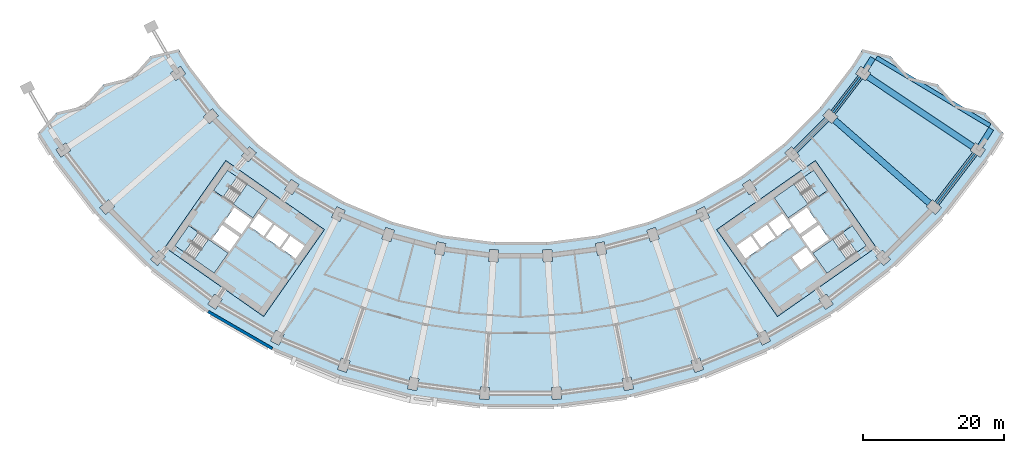
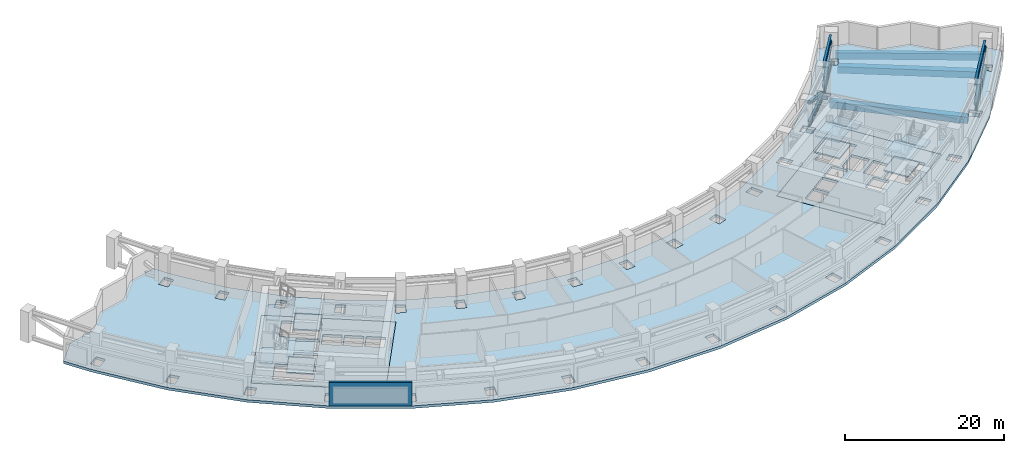
# One storey, part 4 of 25: 15 slabs, 8 beams, 8 members, 1 wall, 4 elements without a shape of their own.
"""IFC4 building model written with IfcOpenShell, lengths in metres."""

from ifc_helpers import new_model, si_unit, direction, frame, frame_2d, origin, origin_2d, place, context, subcontext, project, spatial, polyline, rectangle, hollow_rectangle, i_section, outline, extrude, material, layer, layer_set, material_profile, profile_set, type_object, element, aggregate, save


model = new_model("IFC4")

# Units and contexts
model_context = context("Model", 3, precision=1e-05, world=origin(), true_north=direction((0.0, 1.0)))
body_context = subcontext(model_context, "Body", "Model", "MODEL_VIEW")
ifc_project = project(units=[si_unit("LENGTHUNIT", "METRE"), si_unit("AREAUNIT", "SQUARE_METRE"), si_unit("VOLUMEUNIT", "CUBIC_METRE"), si_unit("PLANEANGLEUNIT", "RADIAN"), si_unit("MASSUNIT", "GRAM", prefix="KILO")], contexts=[model_context])

# Site, building, storey
site_placement = place(None, origin())
site = spatial("IfcSite", under=ifc_project, at=site_placement, CompositionType="ELEMENT")
building_placement = place(site_placement, origin())
building = spatial("IfcBuilding", under=site, at=building_placement, Name="Qamariyya Broadcast Tower", CompositionType="ELEMENT")
storey_placement = place(building_placement, frame((0.0, 0.0, 89.89990234375)))
storey = spatial("IfcBuildingStorey", under=building, at=storey_placement, Name="L19", CompositionType="ELEMENT", Elevation=89.89990234375)

# Members
ifc_material_1 = material(Name="Steel S355", Category="steel")
ifc_material_profile_1 = material_profile(ifc_material_1, i_section(OverallWidth=0.300048828125, OverallDepth=0.800048828125, WebThickness=0.017578125, FlangeThickness=0.032958984375, FilletRadius=0.030029296875, at=origin_2d()))
ifc_profile_set_1 = profile_set([ifc_material_profile_1], Name="Steel S355")
member_type_1 = type_object("IfcMemberType", Name="Belt truss bottom chord HEB 800", PredefinedType="CHORD", material=ifc_profile_set_1)
member_1_placement = place(storey_placement, frame((38.867431640625, -43.333984375, 0.400146484375), z_axis=(0.707106781187, 0.707106781187, 0.0), x_axis=(-0.707106781187, 0.707106781187, 0.0)))
element("IfcMember", 1, at=member_1_placement, inside=storey, type_object=member_type_1, Name="Belt truss bottom chord T6 L19 B-R16", PredefinedType="CHORD", context=body_context, shape_type="SweptSolid", body=[
    extrude(i_section(OverallWidth=0.300048828125, OverallDepth=0.800048828125, WebThickness=0.017578125, FlangeThickness=0.032958984375, FilletRadius=0.030029296875, at=origin_2d()), origin(), (0.0, 0.0, 1.0), 6.316650390625),
])
member_2_placement = place(storey_placement, frame((44.191162109375, -37.89013671875, 0.400146484375), z_axis=(0.608763348773, 0.7933518672, 0.0), x_axis=(-0.7933518672, 0.608763348773, 0.0)))
element("IfcMember", 2, at=member_2_placement, inside=storey, type_object=member_type_1, Name="Belt truss bottom chord T6 L19 B-R17", PredefinedType="CHORD", context=body_context, shape_type="SweptSolid", body=[
    extrude(i_section(OverallWidth=0.300048828125, OverallDepth=0.800048828125, WebThickness=0.017578125, FlangeThickness=0.032958984375, FilletRadius=0.030029296875, at=origin_2d()), origin(), (0.0, 0.0, 1.0), 6.31689453125),
])
member_3_placement = place(storey_placement, frame((58.85205078125, -50.747314453125, 0.400146484375), z_axis=(0.608769622928, 0.793347052809, 0.0), x_axis=(-0.793347052809, 0.608769622928, 0.0)))
element("IfcMember", 3, at=member_3_placement, inside=storey, type_object=member_type_1, Name="Belt truss bottom chord T6 L19 C-R17", PredefinedType="CHORD", context=body_context, shape_type="SweptSolid", body=[
    extrude(i_section(OverallWidth=0.300048828125, OverallDepth=0.800048828125, WebThickness=0.017578125, FlangeThickness=0.032958984375, FilletRadius=0.030029296875, at=origin_2d()), origin(), (0.0, 0.0, 1.0), 8.867431640625),
])
ifc_material_profile_2 = material_profile(ifc_material_1, hollow_rectangle(XDim=0.39990234375, YDim=0.39990234375, WallThickness=0.01611328125, InnerFilletRadius=0.01611328125, OuterFilletRadius=0.031982421875, at=origin_2d()))
ifc_profile_set_2 = profile_set([ifc_material_profile_2], Name="Steel S355")
member_type_2 = type_object("IfcMemberType", Name="Belt truss diagonal RHS 400x400x16", PredefinedType="BRACE", material=ifc_profile_set_2)
member_4_placement = place(storey_placement, frame((38.92626953125, -43.275146484375, 3.71728515625), z_axis=(0.646125895001, 0.646125895001, -0.406254422276), x_axis=(-0.707106781187, 0.707106781187, 0.0)))
element("IfcMember", 4, at=member_4_placement, inside=storey, type_object=member_type_2, Name="Belt truss diagonal T7 L19 B-R16", PredefinedType="BRACE", context=body_context, shape_type="SweptSolid", body=[
    extrude(hollow_rectangle(XDim=0.39990234375, YDim=0.39990234375, WallThickness=0.01611328125, InnerFilletRadius=0.01611328125, OuterFilletRadius=0.031982421875, at=origin_2d()), origin(), (0.0, 0.0, 1.0), 6.730712890625),
])
member_5_placement = place(storey_placement, frame((44.241943359375, -37.823974609375, 0.98291015625), z_axis=(0.556258018172, 0.724930974449, 0.406266045225), x_axis=(-0.793353912678, 0.608760683058, 0.0)))
element("IfcMember", 5, at=member_5_placement, inside=storey, type_object=member_type_2, Name="Belt truss diagonal T7 L19 B-R17", PredefinedType="BRACE", context=body_context, shape_type="SweptSolid", body=[
    extrude(hollow_rectangle(XDim=0.39990234375, YDim=0.39990234375, WallThickness=0.01611328125, InnerFilletRadius=0.01611328125, OuterFilletRadius=0.031982421875, at=origin_2d()), origin(), (0.0, 0.0, 1.0), 6.73046875),
])
member_6_placement = place(storey_placement, frame((58.889404296875, -50.69873046875, 0.990966796875), z_axis=(0.581322026937, 0.757598167369, 0.296832811186), x_axis=(-0.793355106863, 0.60875912676, 0.0)))
element("IfcMember", 6, at=member_6_placement, inside=storey, type_object=member_type_2, Name="Belt truss diagonal T7 L19 C-R17", PredefinedType="BRACE", context=body_context, shape_type="SweptSolid", body=[
    extrude(hollow_rectangle(XDim=0.39990234375, YDim=0.39990234375, WallThickness=0.01611328125, InnerFilletRadius=0.01611328125, OuterFilletRadius=0.031982421875, at=origin_2d()), origin(), (0.0, 0.0, 1.0), 9.157470703125),
])
ifc_material_profile_3 = material_profile(ifc_material_1, i_section(OverallWidth=0.300048828125, OverallDepth=0.800048828125, WebThickness=0.017578125, FlangeThickness=0.032958984375, FilletRadius=0.030029296875, at=origin_2d()))
ifc_profile_set_3 = profile_set([ifc_material_profile_3], Name="Steel S355")
member_type_3 = type_object("IfcMemberType", Name="Belt truss top chord HEB 800", PredefinedType="CHORD", material=ifc_profile_set_3)
member_7_placement = place(storey_placement, frame((44.191162109375, -37.89013671875, 4.300048828125), z_axis=(0.608763348773, 0.7933518672, 0.0), x_axis=(-0.7933518672, 0.608763348773, 0.0)))
element("IfcMember", 7, at=member_7_placement, inside=storey, type_object=member_type_3, Name="Belt truss top chord T5 L19 B-R17", PredefinedType="CHORD", context=body_context, shape_type="SweptSolid", body=[
    extrude(i_section(OverallWidth=0.300048828125, OverallDepth=0.800048828125, WebThickness=0.017578125, FlangeThickness=0.032958984375, FilletRadius=0.030029296875, at=origin_2d()), origin(), (0.0, 0.0, 1.0), 6.31689453125),
])
member_8_placement = place(storey_placement, frame((58.85205078125, -50.747314453125, 4.300048828125), z_axis=(0.608769622928, 0.793347052809, 0.0), x_axis=(-0.793347052809, 0.608769622928, 0.0)))
element("IfcMember", 8, at=member_8_placement, inside=storey, type_object=member_type_3, Name="Belt truss top chord T5 L19 C-R17", PredefinedType="CHORD", context=body_context, shape_type="SweptSolid", body=[
    extrude(i_section(OverallWidth=0.300048828125, OverallDepth=0.800048828125, WebThickness=0.017578125, FlangeThickness=0.032958984375, FilletRadius=0.030029296875, at=origin_2d()), origin(), (0.0, 0.0, 1.0), 8.867431640625),
])

# Beams
ifc_material_2 = material(Name="Concrete C50/60", Category="concrete")
ifc_material_profile_4 = material_profile(ifc_material_2, rectangle(XDim=0.800048828125, YDim=1.0, at=origin_2d()))
ifc_profile_set_4 = profile_set([ifc_material_profile_4], Name="Concrete C50/60")
beam_type_1 = type_object("IfcBeamType", Name="RC edge beam 800 x 1000 C50/60", PredefinedType="SPANDREL", material=ifc_profile_set_4)
beam_1_placement = place(storey_placement, frame((38.867431640625, -43.333984375, -0.89990234375), z_axis=(0.707106781187, 0.707106781187, 0.0), x_axis=(-0.707106781187, 0.707106781187, 0.0)))
element("IfcBeam", 9, at=beam_1_placement, inside=storey, type_object=beam_type_1, Name="Edge beam B10 L19 B R16-R17", PredefinedType="SPANDREL", context=body_context, shape_type="SweptSolid", body=[
    extrude(rectangle(XDim=0.800048828125, YDim=1.0, at=origin_2d()), origin(), (0.0, 0.0, 1.0), 6.316650390625),
])
beam_2_placement = place(storey_placement, frame((44.191162109375, -37.89013671875, -0.89990234375), z_axis=(0.608763348773, 0.7933518672, 0.0), x_axis=(-0.7933518672, 0.608763348773, 0.0)))
element("IfcBeam", 10, at=beam_2_placement, inside=storey, type_object=beam_type_1, Name="Edge beam B10 L19 B R17-R18", PredefinedType="SPANDREL", context=body_context, shape_type="SweptSolid", body=[
    extrude(rectangle(XDim=0.800048828125, YDim=1.0, at=origin_2d()), origin(), (0.0, 0.0, 1.0), 6.31689453125),
])
beam_3_placement = place(storey_placement, frame((58.85205078125, -50.747314453125, -0.89990234375), z_axis=(0.608769622928, 0.793347052809, 0.0), x_axis=(-0.793347052809, 0.608769622928, 0.0)))
element("IfcBeam", 11, at=beam_3_placement, inside=storey, type_object=beam_type_1, Name="Edge beam B10 L19 C R17-R18", PredefinedType="SPANDREL", context=body_context, shape_type="SweptSolid", body=[
    extrude(rectangle(XDim=0.800048828125, YDim=1.0, at=origin_2d()), origin(), (0.0, 0.0, 1.0), 8.867431640625),
])
ifc_material_profile_5 = material_profile(ifc_material_2, rectangle(XDim=0.800048828125, YDim=1.0, at=origin_2d()))
ifc_profile_set_5 = profile_set([ifc_material_profile_5], Name="Concrete C50/60")
beam_type_2 = type_object("IfcBeamType", Name="RC horn beam 800 x 1000 C50/60", PredefinedType="BEAM", material=ifc_profile_set_5)
beam_4_placement = place(storey_placement, frame((48.78076171875, -31.8125, -0.89990234375), z_axis=(0.534764606163, 0.845001074553, 0.0), x_axis=(-0.845001074553, 0.534764606163, 0.0)))
element("IfcBeam", 12, at=beam_4_placement, inside=storey, type_object=beam_type_2, Name="Horn beam B11 L19 E B-R18", PredefinedType="BEAM", context=body_context, shape_type="SweptSolid", body=[
    extrude(rectangle(XDim=0.800048828125, YDim=1.0, at=origin_2d()), origin(), (0.0, 0.0, 1.0), 1.93994140625),
])
beam_5_placement = place(storey_placement, frame((64.994384765625, -42.646240234375, -0.89990234375), z_axis=(0.534798352248, 0.844979717172, 0.0), x_axis=(-0.844979717172, 0.534798352248, 0.0)))
element("IfcBeam", 13, at=beam_5_placement, inside=storey, type_object=beam_type_2, Name="Horn beam B11 L19 E C-R18", PredefinedType="BEAM", context=body_context, shape_type="SweptSolid", body=[
    extrude(rectangle(XDim=0.800048828125, YDim=1.0, at=origin_2d()), origin(), (0.0, 0.0, 1.0), 2.907470703125),
])
ifc_material_profile_6 = material_profile(ifc_material_2, rectangle(XDim=0.60009765625, YDim=1.0, at=origin_2d()))
ifc_profile_set_6 = profile_set([ifc_material_profile_6], Name="Concrete C50/60")
beam_type_3 = type_object("IfcBeamType", Name="RC horn cap beam 600 x 1000 C50/60", PredefinedType="BEAM", material=ifc_profile_set_6)
beam_6_placement = place(storey_placement, frame((50.32177734375, -30.125244140625, -0.89990234375), z_axis=(0.858001674613, -0.513646888788, 0.0), x_axis=(0.513646888788, 0.858001674613, 0.0)))
element("IfcBeam", 14, at=beam_6_placement, inside=storey, type_object=beam_type_3, Name="Horn cap beam B12 L19 E B-C", PredefinedType="BEAM", context=body_context, shape_type="SweptSolid", body=[
    extrude(rectangle(XDim=0.60009765625, YDim=1.0, at=origin_2d()), origin(), (0.0, 0.0, 1.0), 18.699951171875),
])
ifc_material_profile_7 = material_profile(ifc_material_2, rectangle(XDim=0.89990234375, YDim=1.0, at=origin_2d()))
ifc_profile_set_7 = profile_set([ifc_material_profile_7], Name="Concrete C50/60")
beam_type_4 = type_object("IfcBeamType", Name="RC radial beam 900 x 1000 C50/60", PredefinedType="BEAM", material=ifc_profile_set_7)
for number, where, z_axis, x_axis, name in (
    (15, (44.433837890625, -38.96728515625, -0.89990234375), (0.751836168626, -0.659349964393, 0.0), (0.659349964393, 0.751836168626, 0.0), "Radial beam B9 L19 R17 B-C"),
    (16, (49.139892578125, -32.834228515625, -0.89990234375), (0.831467440413, -0.555573483469, 0.0), (0.555573483469, 0.831467440413, 0.0), "Radial beam B9 L19 R18 B-C"),
):
    element("IfcBeam", number, at=place(storey_placement, frame(where, z_axis=z_axis, x_axis=x_axis)), inside=storey, type_object=beam_type_4, Name=name, PredefinedType="BEAM", context=body_context, shape_type="SweptSolid", body=[
        extrude(rectangle(XDim=0.89990234375, YDim=1.0, at=origin_2d()), origin(), (0.0, 0.0, 1.0), 17.7998046875),
    ])

# Slabs
ifc_material_3 = material(Name="Concrete C40/50", Category="concrete")
ifc_layer_1 = layer(ifc_material_3, 0.39990234375)
ifc_layer_set_1 = layer_set([ifc_layer_1], Name="Core floor slab 400 mm Concrete C40/50")
slab_type_1 = type_object("IfcSlabType", Name="Core floor slab 400 mm Concrete C40/50", PredefinedType="FLOOR", material=ifc_layer_set_1)
slab_1_placement = place(storey_placement, frame((0.0, 0.0, -0.39990234375)))
element("IfcSlab", 17, at=slab_1_placement, inside=storey, type_object=slab_type_1, Name="k-W-L19-slab", PredefinedType="FLOOR", context=body_context, shape_type="SweptSolid", body=[
    extrude(outline(polyline([(-50.286376953125, -56.95751953125), (-36.32373046875, -66.734375), (-27.719970703125, -54.447021484375), (-41.6826171875, -44.67041015625), (-50.286376953125, -56.95751953125)]), holes=[polyline([(-31.80859375, -58.542724609375), (-33.8154296875, -57.137451171875), (-32.5537109375, -55.335205078125), (-30.546630859375, -56.740478515625), (-31.80859375, -58.542724609375)]), polyline([(-34.061279296875, -56.96533203125), (-36.068115234375, -55.56005859375), (-34.806396484375, -53.758056640625), (-32.79931640625, -55.163330078125), (-34.061279296875, -56.96533203125)]), polyline([(-36.31396484375, -55.387939453125), (-38.32080078125, -53.982666015625), (-37.058837890625, -52.1806640625), (-35.052001953125, -53.5859375), (-36.31396484375, -55.387939453125)]), polyline([(-39.742431640625, -55.489990234375), (-42.199951171875, -53.769287109375), (-43.6337890625, -55.817138671875), (-41.17626953125, -57.537841796875), (-39.742431640625, -55.489990234375)]), polyline([(-39.45556640625, -55.080322265625), (-41.9130859375, -53.359619140625), (-40.47900390625, -51.311767578125), (-38.021728515625, -53.032470703125), (-39.45556640625, -55.080322265625)]), polyline([(-42.06103515625, -49.837890625), (-37.849609375, -52.78662109375), (-35.870849609375, -49.960693359375), (-40.082275390625, -47.01171875), (-42.06103515625, -49.837890625)]), polyline([(-47.538818359375, -57.66064453125), (-43.3271484375, -60.609619140625), (-41.348388671875, -57.783447265625), (-45.559814453125, -54.834716796875), (-47.538818359375, -57.66064453125)])]), origin(), (0.0, 0.0, 1.0), 0.39990234375),
])
slab_2_placement = place(storey_placement, frame((0.0, 0.0, -0.39990234375)))
element("IfcSlab", 18, at=slab_2_placement, inside=storey, type_object=slab_type_1, Name="k-E-L19-slab", PredefinedType="FLOOR", context=body_context, shape_type="SweptSolid", body=[
    extrude(outline(polyline([(36.32373046875, -66.734375), (50.286376953125, -56.95751953125), (41.6826171875, -44.67041015625), (27.719970703125, -54.447021484375), (36.32373046875, -66.734375)]), holes=[polyline([(31.80859375, -58.542724609375), (33.8154296875, -57.137451171875), (32.5537109375, -55.335205078125), (30.546630859375, -56.740478515625), (31.80859375, -58.542724609375)]), polyline([(34.061279296875, -56.96533203125), (36.068115234375, -55.56005859375), (34.806396484375, -53.758056640625), (32.79931640625, -55.163330078125), (34.061279296875, -56.96533203125)]), polyline([(36.31396484375, -55.387939453125), (38.32080078125, -53.982666015625), (37.058837890625, -52.1806640625), (35.052001953125, -53.5859375), (36.31396484375, -55.387939453125)]), polyline([(38.378662109375, -58.3369140625), (40.3857421875, -56.931640625), (41.6474609375, -58.73388671875), (39.640625, -60.13916015625), (38.378662109375, -58.3369140625)]), polyline([(39.742431640625, -55.489990234375), (42.199951171875, -53.769287109375), (43.6337890625, -55.817138671875), (41.17626953125, -57.537841796875), (39.742431640625, -55.489990234375)]), polyline([(39.45556640625, -55.080322265625), (41.9130859375, -53.359619140625), (40.47900390625, -51.311767578125), (38.021728515625, -53.032470703125), (39.45556640625, -55.080322265625)]), polyline([(40.082275390625, -47.01171875), (35.870849609375, -49.960693359375), (37.849609375, -52.78662109375), (42.06103515625, -49.837890625), (40.082275390625, -47.01171875)]), polyline([(45.559814453125, -54.834716796875), (41.348388671875, -57.783447265625), (43.3271484375, -60.609619140625), (47.538818359375, -57.66064453125), (45.559814453125, -54.834716796875)])]), origin(), (0.0, 0.0, 1.0), 0.39990234375),
])
ifc_layer_2 = layer(ifc_material_3, 0.39990234375)
ifc_layer_set_2 = layer_set([ifc_layer_2], Name="Post-tensioned floor slab 400 C40/50")
slab_type_2 = type_object("IfcSlabType", Name="Post-tensioned floor slab 400 C40/50", PredefinedType="FLOOR", material=ifc_layer_set_2)
slab_3_placement = place(storey_placement, frame((0.0, 0.0, -0.39990234375)))
element("IfcSlab", 19, at=slab_3_placement, inside=storey, type_object=slab_type_2, Name="Floor slab S3 L19", PredefinedType="FLOOR", context=body_context, shape_type="SweptSolid", body=[
    extrude(outline(polyline([(-65.6162109375, -37.8828125), (-68.33984375, -40.911865234375), (-66.2265625, -44.251220703125), (-59.884033203125, -52.516845703125), (-52.516845703125, -59.884033203125), (-44.251220703125, -66.2265625), (-35.228271484375, -71.43603515625), (-25.6025390625, -75.423095703125), (-15.5390625, -78.11962890625), (-5.20947265625, -79.4794921875), (5.20947265625, -79.4794921875), (15.5390625, -78.11962890625), (25.6025390625, -75.423095703125), (35.228271484375, -71.43603515625), (44.251220703125, -66.2265625), (52.516845703125, -59.884033203125), (59.884033203125, -52.516845703125), (66.2265625, -44.251220703125), (68.33984375, -40.911865234375), (65.6162109375, -37.8828125), (61.676025390625, -36.922607421875), (58.951416015625, -33.892822265625), (55.01220703125, -32.933349609375), (52.286376953125, -29.90283203125), (48.348388671875, -28.94384765625), (46.853271484375, -31.306396484375), (42.3662109375, -37.154052734375), (37.154052734375, -42.3662109375), (31.306396484375, -46.853271484375), (24.9228515625, -50.538818359375), (18.113037109375, -53.359619140625), (10.993408203125, -55.267333984375), (3.685546875, -56.229248046875), (-3.685546875, -56.229248046875), (-10.993408203125, -55.267333984375), (-18.113037109375, -53.359619140625), (-24.9228515625, -50.538818359375), (-31.306396484375, -46.853271484375), (-37.154052734375, -42.3662109375), (-42.3662109375, -37.154052734375), (-46.853271484375, -31.306396484375), (-48.348388671875, -28.94384765625), (-52.286376953125, -29.90283203125), (-55.01220703125, -32.933349609375), (-58.951416015625, -33.892822265625), (-61.676025390625, -36.922607421875), (-65.6162109375, -37.8828125)]), holes=[polyline([(-5.789306640625, -78.38916015625), (-5.67822265625, -76.69287109375), (-4.380859375, -76.77783203125), (-4.4921875, -78.47412109375), (-5.789306640625, -78.38916015625)]), polyline([(-15.9716796875, -76.962890625), (-15.639892578125, -75.295654296875), (-14.364990234375, -75.54931640625), (-14.696533203125, -77.216552734375), (-15.9716796875, -76.962890625)]), polyline([(-25.880615234375, -74.2197265625), (-25.334228515625, -72.610107421875), (-24.103271484375, -73.02783203125), (-24.649658203125, -74.6376953125), (-25.880615234375, -74.2197265625)]), polyline([(-35.346923828125, -70.206787109375), (-34.594970703125, -68.68212890625), (-33.428955078125, -69.257080078125), (-34.180908203125, -70.78173828125), (-35.346923828125, -70.206787109375)]), polyline([(-44.208251953125, -64.992431640625), (-43.263916015625, -63.578857421875), (-42.182861328125, -64.301025390625), (-43.12744140625, -65.714599609375), (-44.208251953125, -64.992431640625)]), polyline([(-52.313232421875, -58.666015625), (-51.1923828125, -57.387939453125), (-50.215087890625, -58.2451171875), (-51.3359375, -59.523193359375), (-52.313232421875, -58.666015625)]), polyline([(-12.167236328125, -57.837646484375), (-11.835693359375, -56.170166015625), (-10.560791015625, -56.423828125), (-10.892333984375, -58.09130859375), (-12.167236328125, -57.837646484375)]), polyline([(-41.6826171875, -44.67041015625), (-27.719970703125, -54.447021484375), (-36.32373046875, -66.734375), (-50.286376953125, -56.95751953125), (-41.6826171875, -44.67041015625)]), polyline([(-19.066162109375, -54.144775390625), (-17.835205078125, -54.562744140625), (-18.381591796875, -56.172607421875), (-19.612548828125, -55.754638671875), (-19.066162109375, -54.144775390625)]), polyline([(-26.72216796875, -52.7177734375), (-25.970458984375, -51.193115234375), (-24.804443359375, -51.76806640625), (-25.556396484375, -53.292724609375), (-26.72216796875, -52.7177734375)]), polyline([(-59.523193359375, -51.3359375), (-58.2451171875, -50.215087890625), (-57.387939453125, -51.1923828125), (-58.666015625, -52.313232421875), (-59.523193359375, -51.3359375)]), polyline([(-33.374755859375, -48.77880859375), (-32.43017578125, -47.365234375), (-31.349365234375, -48.08740234375), (-32.293701171875, -49.5009765625), (-33.374755859375, -48.77880859375)]), polyline([(-39.4560546875, -44.005126953125), (-38.335205078125, -42.72705078125), (-37.357666015625, -43.584228515625), (-38.478759765625, -44.8623046875), (-39.4560546875, -44.005126953125)]), polyline([(-65.714599609375, -43.12744140625), (-64.301025390625, -42.182861328125), (-63.578857421875, -43.263916015625), (-64.992431640625, -44.208251953125), (-65.714599609375, -43.12744140625)]), polyline([(-44.8623046875, -38.478759765625), (-43.584228515625, -37.357666015625), (-42.72705078125, -38.335205078125), (-44.005126953125, -39.4560546875), (-44.8623046875, -38.478759765625)]), polyline([(-48.08740234375, -31.349365234375), (-47.365234375, -32.43017578125), (-48.77880859375, -33.374755859375), (-49.5009765625, -32.293701171875), (-48.08740234375, -31.349365234375)]), polyline([(4.4921875, -78.47412109375), (4.380859375, -76.77783203125), (5.67822265625, -76.69287109375), (5.789306640625, -78.38916015625), (4.4921875, -78.47412109375)]), polyline([(14.696533203125, -77.216552734375), (14.364990234375, -75.54931640625), (15.639892578125, -75.295654296875), (15.9716796875, -76.962890625), (14.696533203125, -77.216552734375)]), polyline([(24.649658203125, -74.6376953125), (24.103271484375, -73.02783203125), (25.334228515625, -72.610107421875), (25.880615234375, -74.2197265625), (24.649658203125, -74.6376953125)]), polyline([(34.180908203125, -70.78173828125), (33.428955078125, -69.257080078125), (34.594970703125, -68.68212890625), (35.346923828125, -70.206787109375), (34.180908203125, -70.78173828125)]), polyline([(43.12744140625, -65.714599609375), (42.182861328125, -64.301025390625), (43.263916015625, -63.578857421875), (44.208251953125, -64.992431640625), (43.12744140625, -65.714599609375)]), polyline([(51.3359375, -59.523193359375), (50.215087890625, -58.2451171875), (51.1923828125, -57.387939453125), (52.313232421875, -58.666015625), (51.3359375, -59.523193359375)]), polyline([(3.216796875, -59.015869140625), (3.10546875, -57.319580078125), (4.40283203125, -57.234619140625), (4.513916015625, -58.930908203125), (3.216796875, -59.015869140625)]), polyline([(-4.40283203125, -57.234619140625), (-3.10546875, -57.319580078125), (-3.216796875, -59.015869140625), (-4.513916015625, -58.930908203125), (-4.40283203125, -57.234619140625)]), polyline([(10.560791015625, -56.423828125), (11.835693359375, -56.170166015625), (12.167236328125, -57.837646484375), (10.892333984375, -58.09130859375), (10.560791015625, -56.423828125)]), polyline([(36.32373046875, -66.734375), (27.719970703125, -54.447021484375), (41.6826171875, -44.67041015625), (50.286376953125, -56.95751953125), (36.32373046875, -66.734375)]), polyline([(18.381591796875, -56.172607421875), (17.835205078125, -54.562744140625), (19.066162109375, -54.144775390625), (19.612548828125, -55.754638671875), (18.381591796875, -56.172607421875)]), polyline([(25.556396484375, -53.292724609375), (24.804443359375, -51.76806640625), (25.970458984375, -51.193115234375), (26.72216796875, -52.7177734375), (25.556396484375, -53.292724609375)]), polyline([(58.666015625, -52.313232421875), (57.387939453125, -51.1923828125), (58.2451171875, -50.215087890625), (59.523193359375, -51.3359375), (58.666015625, -52.313232421875)]), polyline([(32.293701171875, -49.5009765625), (31.349365234375, -48.08740234375), (32.43017578125, -47.365234375), (33.374755859375, -48.77880859375), (32.293701171875, -49.5009765625)]), polyline([(38.478759765625, -44.8623046875), (37.357666015625, -43.584228515625), (38.335205078125, -42.72705078125), (39.4560546875, -44.005126953125), (38.478759765625, -44.8623046875)]), polyline([(64.992431640625, -44.208251953125), (63.578857421875, -43.263916015625), (64.301025390625, -42.182861328125), (65.714599609375, -43.12744140625), (64.992431640625, -44.208251953125)]), polyline([(42.72705078125, -38.335205078125), (43.584228515625, -37.357666015625), (44.8623046875, -38.478759765625), (44.005126953125, -39.4560546875), (42.72705078125, -38.335205078125)]), polyline([(47.365234375, -32.43017578125), (48.08740234375, -31.349365234375), (49.5009765625, -32.293701171875), (48.77880859375, -33.374755859375), (47.365234375, -32.43017578125)])]), origin(), (0.0, 0.0, 1.0), 0.39990234375),
])

# Stair, slabs
stair_type = type_object("IfcStairType", Name="Exit stair 28 risers of 179 mm", PredefinedType="HALF_TURN_STAIR", material=ifc_material_2)
stair_1_placement = place(storey_placement, origin())
stair_1 = element("IfcStair", 20, at=stair_1_placement, inside=storey, type_object=stair_type, Name="L19 Stair W2", PredefinedType="HALF_TURN_STAIR")
ifc_layer_3 = layer(ifc_material_2, 0.199951171875)
ifc_layer_set_3 = layer_set([ifc_layer_3], Name="Stair landing")
slab_type_3 = type_object("IfcSlabType", Name="Stair landing", PredefinedType="LANDING", material=ifc_layer_set_3)
slab_4_placement = place(storey_placement, frame((0.0, 0.0, 1.050048828125)))
slab_4 = element("IfcSlab", 21, at=slab_4_placement, type_object=slab_type_3, Name="ST-W2 landing 1", PredefinedType="LANDING", context=body_context, shape_type="SweptSolid", body=[
    extrude(outline(polyline([(-40.642333984375, -50.831298828125), (-37.849609375, -52.78662109375), (-35.870849609375, -49.960693359375), (-38.66357421875, -48.005126953125), (-40.642333984375, -50.831298828125)])), origin(), (0.0, 0.0, 1.0), 0.199951171875),
])
slab_5_placement = place(storey_placement, frame((0.0, 0.0, 2.300048828125)))
slab_5 = element("IfcSlab", 22, at=slab_5_placement, type_object=slab_type_3, Name="ST-W2 landing 2", PredefinedType="LANDING", context=body_context, shape_type="SweptSolid", body=[
    extrude(outline(polyline([(-43.416015625, -48.88916015625), (-42.06103515625, -49.837890625), (-40.082275390625, -47.01171875), (-41.437255859375, -46.06298828125), (-43.416015625, -48.88916015625)])), origin(), (0.0, 0.0, 1.0), 0.199951171875),
])
slab_6_placement = place(storey_placement, frame((0.0, 0.0, 3.550048828125)))
slab_6 = element("IfcSlab", 23, at=slab_6_placement, type_object=slab_type_3, Name="ST-W2 landing 3", PredefinedType="LANDING", context=body_context, shape_type="SweptSolid", body=[
    extrude(outline(polyline([(-40.642333984375, -50.831298828125), (-37.849609375, -52.78662109375), (-35.870849609375, -49.960693359375), (-38.66357421875, -48.005126953125), (-40.642333984375, -50.831298828125)])), origin(), (0.0, 0.0, 1.0), 0.199951171875),
])
aggregate(stair_1, [slab_4, slab_5, slab_6])

stair_2_placement = place(storey_placement, origin())
stair_2 = element("IfcStair", 24, at=stair_2_placement, inside=storey, type_object=stair_type, Name="L19 Stair W1", PredefinedType="HALF_TURN_STAIR")
slab_7_placement = place(storey_placement, frame((0.0, 0.0, 1.050048828125)))
slab_7 = element("IfcSlab", 25, at=slab_7_placement, type_object=slab_type_3, Name="ST-W1 landing 1", PredefinedType="LANDING", context=body_context, shape_type="SweptSolid", body=[
    extrude(outline(polyline([(-46.1201171875, -58.654052734375), (-43.3271484375, -60.609619140625), (-41.348388671875, -57.783447265625), (-44.14111328125, -55.828125), (-46.1201171875, -58.654052734375)])), origin(), (0.0, 0.0, 1.0), 0.199951171875),
])
slab_8_placement = place(storey_placement, frame((0.0, 0.0, 2.300048828125)))
slab_8 = element("IfcSlab", 26, at=slab_8_placement, type_object=slab_type_3, Name="ST-W1 landing 2", PredefinedType="LANDING", context=body_context, shape_type="SweptSolid", body=[
    extrude(outline(polyline([(-48.8935546875, -56.7119140625), (-47.538818359375, -57.66064453125), (-45.559814453125, -54.834716796875), (-46.914794921875, -53.885986328125), (-48.8935546875, -56.7119140625)])), origin(), (0.0, 0.0, 1.0), 0.199951171875),
])
slab_9_placement = place(storey_placement, frame((0.0, 0.0, 3.550048828125)))
slab_9 = element("IfcSlab", 27, at=slab_9_placement, type_object=slab_type_3, Name="ST-W1 landing 3", PredefinedType="LANDING", context=body_context, shape_type="SweptSolid", body=[
    extrude(outline(polyline([(-46.1201171875, -58.654052734375), (-43.3271484375, -60.609619140625), (-41.348388671875, -57.783447265625), (-44.14111328125, -55.828125), (-46.1201171875, -58.654052734375)])), origin(), (0.0, 0.0, 1.0), 0.199951171875),
])
aggregate(stair_2, [slab_7, slab_8, slab_9])

stair_3_placement = place(storey_placement, origin())
stair_3 = element("IfcStair", 28, at=stair_3_placement, inside=storey, type_object=stair_type, Name="L19 Stair E2", PredefinedType="HALF_TURN_STAIR")
slab_10_placement = place(storey_placement, frame((0.0, 0.0, 1.050048828125)))
slab_10 = element("IfcSlab", 29, at=slab_10_placement, type_object=slab_type_3, Name="ST-E2 landing 1", PredefinedType="LANDING", context=body_context, shape_type="SweptSolid", body=[
    extrude(outline(polyline([(38.66357421875, -48.005126953125), (35.870849609375, -49.960693359375), (37.849609375, -52.78662109375), (40.642333984375, -50.831298828125), (38.66357421875, -48.005126953125)])), origin(), (0.0, 0.0, 1.0), 0.199951171875),
])
slab_11_placement = place(storey_placement, frame((0.0, 0.0, 2.300048828125)))
slab_11 = element("IfcSlab", 30, at=slab_11_placement, type_object=slab_type_3, Name="ST-E2 landing 2", PredefinedType="LANDING", context=body_context, shape_type="SweptSolid", body=[
    extrude(outline(polyline([(41.437255859375, -46.06298828125), (40.082275390625, -47.01171875), (42.06103515625, -49.837890625), (43.416015625, -48.88916015625), (41.437255859375, -46.06298828125)])), origin(), (0.0, 0.0, 1.0), 0.199951171875),
])
slab_12_placement = place(storey_placement, frame((0.0, 0.0, 3.550048828125)))
slab_12 = element("IfcSlab", 31, at=slab_12_placement, type_object=slab_type_3, Name="ST-E2 landing 3", PredefinedType="LANDING", context=body_context, shape_type="SweptSolid", body=[
    extrude(outline(polyline([(38.66357421875, -48.005126953125), (35.870849609375, -49.960693359375), (37.849609375, -52.78662109375), (40.642333984375, -50.831298828125), (38.66357421875, -48.005126953125)])), origin(), (0.0, 0.0, 1.0), 0.199951171875),
])
aggregate(stair_3, [slab_10, slab_11, slab_12])

stair_4_placement = place(storey_placement, origin())
stair_4 = element("IfcStair", 32, at=stair_4_placement, inside=storey, type_object=stair_type, Name="L19 Stair E1", PredefinedType="HALF_TURN_STAIR")
slab_13_placement = place(storey_placement, frame((0.0, 0.0, 1.050048828125)))
slab_13 = element("IfcSlab", 33, at=slab_13_placement, type_object=slab_type_3, Name="ST-E1 landing 1", PredefinedType="LANDING", context=body_context, shape_type="SweptSolid", body=[
    extrude(outline(polyline([(44.14111328125, -55.828125), (41.348388671875, -57.783447265625), (43.3271484375, -60.609619140625), (46.1201171875, -58.654052734375), (44.14111328125, -55.828125)])), origin(), (0.0, 0.0, 1.0), 0.199951171875),
])
slab_14_placement = place(storey_placement, frame((0.0, 0.0, 2.300048828125)))
slab_14 = element("IfcSlab", 34, at=slab_14_placement, type_object=slab_type_3, Name="ST-E1 landing 2", PredefinedType="LANDING", context=body_context, shape_type="SweptSolid", body=[
    extrude(outline(polyline([(46.914794921875, -53.885986328125), (45.559814453125, -54.834716796875), (47.538818359375, -57.66064453125), (48.8935546875, -56.7119140625), (46.914794921875, -53.885986328125)])), origin(), (0.0, 0.0, 1.0), 0.199951171875),
])
slab_15_placement = place(storey_placement, frame((0.0, 0.0, 3.550048828125)))
slab_15 = element("IfcSlab", 35, at=slab_15_placement, type_object=slab_type_3, Name="ST-E1 landing 3", PredefinedType="LANDING", context=body_context, shape_type="SweptSolid", body=[
    extrude(outline(polyline([(44.14111328125, -55.828125), (41.348388671875, -57.783447265625), (43.3271484375, -60.609619140625), (46.1201171875, -58.654052734375), (44.14111328125, -55.828125)])), origin(), (0.0, 0.0, 1.0), 0.199951171875),
])
aggregate(stair_4, [slab_13, slab_14, slab_15])

# Wall
ifc_material_4 = material(Name="Terracotta", Category="masonry")
ifc_layer_4 = layer(ifc_material_4, 0.39990234375)
ifc_layer_set_4 = layer_set([ifc_layer_4], Name="Terracotta clad plant wall 400")
wall_type = type_object("IfcWallType", Name="Terracotta clad plant wall 400", PredefinedType="SOLIDWALL", material=ifc_layer_set_4)
wall_placement = place(storey_placement, frame((-44.161376953125, -66.04736328125, 0.0), z_axis=(0.0, 0.0, 1.0), x_axis=(0.866027516296, -0.499996341005, 0.0)))
element("IfcWall", 36, at=wall_placement, inside=storey, type_object=wall_type, Name="e-wl-L19-out40", PredefinedType="SOLIDWALL", context=body_context, shape_type="SweptSolid", body=[
    extrude(rectangle(XDim=10.4423828125, YDim=0.39990234375, at=frame_2d((5.22119140625, 0.0))), origin(), (0.0, 0.0, 1.0), 3.60009765625),
])

save(model, "model.ifc")
